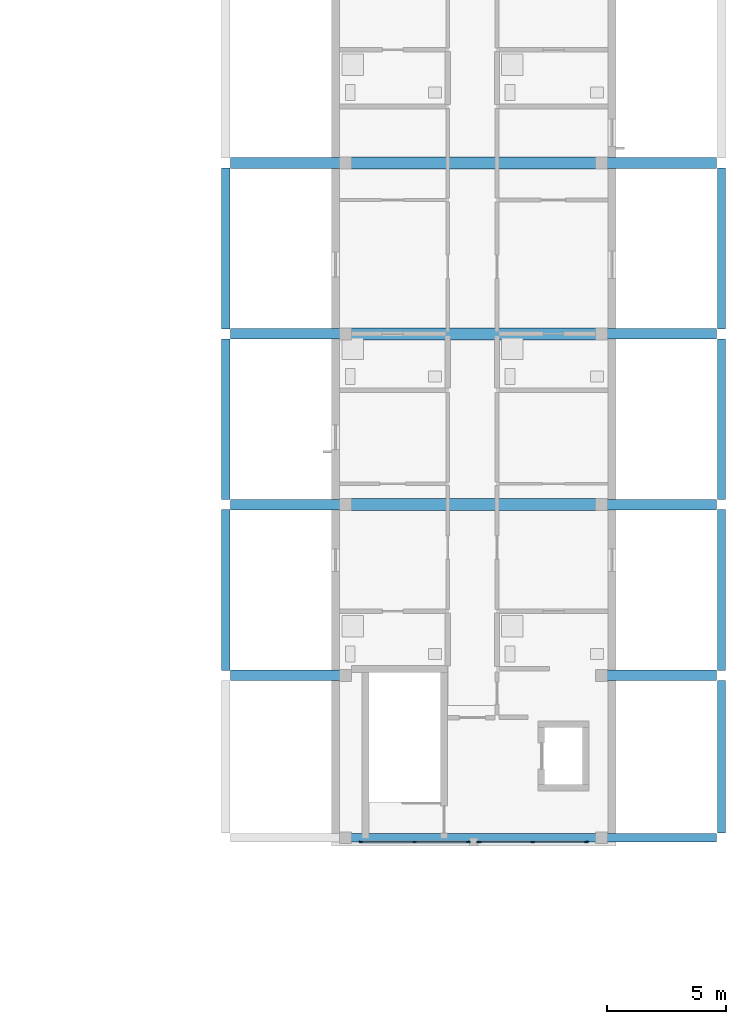
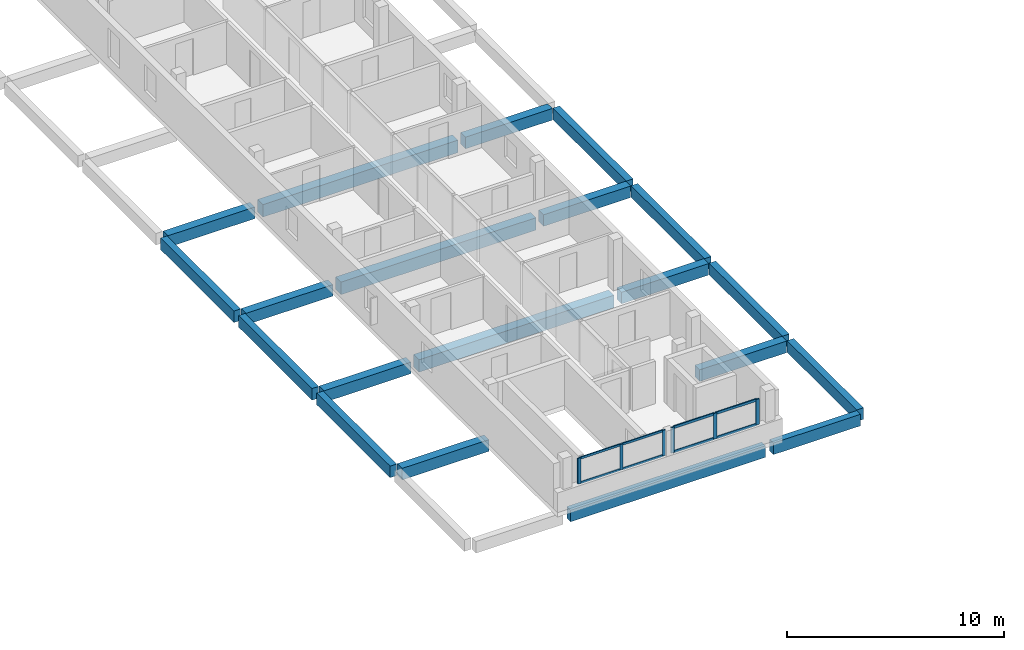
# One storey, part 3 of 16: 20 beams, 14 members, 2 elements without a shape of their own.
"""IFC4 building model written with IfcOpenShell, lengths in metres."""

from ifc_helpers import new_model, si_unit, derived_unit, direction, frame, origin, origin_2d, place, context, subcontext, project, spatial, rectangle, extrude, material, layer, layer_set, material_profile, profile_set, type_object, element, aggregate, save


model = new_model("IFC4")

# Units and contexts
model_context = context("Model", 3, precision=1e-05, world=origin(), true_north=direction((0.0, 1.0)))
body_context = subcontext(model_context, "Body", "Model", "MODEL_VIEW")
ifc_project = project(units=[si_unit("LENGTHUNIT", "METRE"), si_unit("AREAUNIT", "SQUARE_METRE"), si_unit("VOLUMEUNIT", "CUBIC_METRE"), si_unit("PLANEANGLEUNIT", "RADIAN"), si_unit("MASSUNIT", "GRAM", prefix="KILO"), derived_unit("THERMALTRANSMITTANCEUNIT", [(si_unit("MASSUNIT", "GRAM", prefix="KILO"), 1), (si_unit("TIMEUNIT", "SECOND"), -3), (si_unit("THERMODYNAMICTEMPERATUREUNIT", "KELVIN"), -1)])], contexts=[model_context])

# Site, building, storey
site_placement = place(None, origin())
site = spatial("IfcSite", under=ifc_project, at=site_placement, CompositionType="ELEMENT")
building_placement = place(site_placement, origin())
building = spatial("IfcBuilding", under=site, at=building_placement, Name="Ochrekiln Boulevard Commons", CompositionType="ELEMENT")
storey_placement = place(building_placement, frame((0.0, 0.0, 40.425048828125)))
storey = spatial("IfcBuildingStorey", under=building, at=storey_placement, Name="L12", CompositionType="ELEMENT", Elevation=40.425048828125)

# Beams
ifc_material_1 = material(Name="Concrete C35/45", Category="concrete")
ifc_material_profile_1 = material_profile(ifc_material_1, rectangle(XDim=0.449951171875, YDim=0.64990234375, at=origin_2d()), Name="RC-BM-450x650")
ifc_profile_set_1 = profile_set([ifc_material_profile_1], Name="Concrete C35/45")
beam_type_1 = type_object("IfcBeamType", Name="BM-RC-450x650", PredefinedType="BEAM", material=ifc_profile_set_1)
for number, where, z_axis, x_axis, name in (
    (1, (151.760009765625, 75.60009765625, -0.574951171875), (1.0, 0.0, 0.0), (0.0, 1.0, 0.0), "Block B L12 Beam B-4565 X4"),
    (2, (167.610107421875, 75.60009765625, -0.574951171875), (1.0, 0.0, 0.0), (0.0, 1.0, 0.0), "Block B L12 Beam B-4565 X5"),
    (3, (151.760009765625, 82.800048828125, -0.574951171875), (1.0, 0.0, 0.0), (0.0, 1.0, 0.0), "Block B L12 Beam B-4565 X6"),
    (4, (167.610107421875, 82.800048828125, -0.574951171875), (1.0, 0.0, 0.0), (0.0, 1.0, 0.0), "Block B L12 Beam B-4565 X8"),
    (5, (151.760009765625, 90.0, -0.574951171875), (1.0, 0.0, 0.0), (0.0, 1.0, 0.0), "Block B L12 Beam B-4565 X9"),
    (6, (167.610107421875, 90.0, -0.574951171875), (1.0, 0.0, 0.0), (0.0, 1.0, 0.0), "Block B L12 Beam B-4565 X11"),
    (7, (151.760009765625, 97.199951171875, -0.574951171875), (1.0, 0.0, 0.0), (0.0, 1.0, 0.0), "Block B L12 Beam B-4565 X12"),
    (8, (167.610107421875, 97.199951171875, -0.574951171875), (1.0, 0.0, 0.0), (0.0, 1.0, 0.0), "Block B L12 Beam B-4565 X14"),
):
    element("IfcBeam", number, at=place(storey_placement, frame(where, z_axis=z_axis, x_axis=x_axis)), inside=storey, type_object=beam_type_1, Name=name, PredefinedType="BEAM", context=body_context, shape_type="SweptSolid", body=[
        extrude(rectangle(XDim=0.449951171875, YDim=0.64990234375, at=origin_2d()), origin(), (0.0, 0.0, 1.0), 4.6298828125),
    ])
ifc_material_2 = material(Name="Concrete C40/50", Category="concrete")
ifc_material_profile_2 = material_profile(ifc_material_2, rectangle(XDim=0.5, YDim=0.699951171875, at=origin_2d()), Name="RC-BM-500x700")
ifc_profile_set_2 = profile_set([ifc_material_profile_2], Name="Concrete C40/50")
beam_type_2 = type_object("IfcBeamType", Name="BM-RC-500x700", PredefinedType="BEAM", material=ifc_profile_set_2)
for number, where, z_axis, x_axis, name in (
    (9, (156.81005859375, 82.800048828125, -0.60009765625), (1.0, 0.0, 0.0), (0.0, 1.0, 0.0), "Block B L12 Beam B-5070 X7"),
    (10, (156.81005859375, 90.0, -0.60009765625), (1.0, 0.0, 0.0), (0.0, 1.0, 0.0), "Block B L12 Beam B-5070 X10"),
    (11, (156.81005859375, 97.199951171875, -0.60009765625), (1.0, 0.0, 0.0), (0.0, 1.0, 0.0), "Block B L12 Beam B-5070 X13"),
):
    element("IfcBeam", number, at=place(storey_placement, frame(where, z_axis=z_axis, x_axis=x_axis)), inside=storey, type_object=beam_type_2, Name=name, PredefinedType="BEAM", context=body_context, shape_type="SweptSolid", body=[
        extrude(rectangle(XDim=0.5, YDim=0.699951171875, at=origin_2d()), origin(), (0.0, 0.0, 1.0), 10.3798828125),
    ])

# Curtain wall, members
ifc_material_3 = material(Name="Bronze-anodized extruded aluminium 6063-T6", Category="aluminium")
ifc_layer = layer(ifc_material_3, 0.18408203125)
ifc_layer_set = layer_set([ifc_layer], Name="Bronze-anodized extruded aluminium 6063-T6")
curtain_wall_type = type_object("IfcCurtainWallType", Name="CW-GABLE-B", PredefinedType="USERDEFINED", material=ifc_layer_set)
curtain_wall_1_placement = place(storey_placement, origin())
curtain_wall_1 = element("IfcCurtainWall", 12, at=curtain_wall_1_placement, inside=storey, type_object=curtain_wall_type, Name="Block B L12 Courtyard Glazed Gable Curtain Wall 1", ObjectType="GLAZED CURTAIN WALL", PredefinedType="USERDEFINED")
ifc_material_profile_3 = material_profile(ifc_material_3, rectangle(XDim=0.06005859375, YDim=0.159912109375, at=origin_2d()), Name="ALU-MUL-60x160")
ifc_profile_set_3 = profile_set([ifc_material_profile_3], Name="Bronze-anodized extruded aluminium 6063-T6")
member_type_1 = type_object("IfcMemberType", Name="CWM-60x160", PredefinedType="MULLION", material=ifc_profile_set_3)
member_1_placement = place(storey_placement, frame((157.25, 68.570068359375, 1.10986328125), z_axis=(0.0, 0.0, 1.0), x_axis=(0.0, 1.0, 0.0)))
member_1 = element("IfcMember", 13, at=member_1_placement, type_object=member_type_1, Name="CW-02 mullion 1", PredefinedType="MULLION", context=body_context, shape_type="SweptSolid", body=[
    extrude(rectangle(XDim=0.06005859375, YDim=0.159912109375, at=origin_2d()), origin(), (0.0, 0.0, 1.0), 1.440185546875),
])
member_2_placement = place(storey_placement, frame((159.510009765625, 68.570068359375, 1.10986328125), z_axis=(0.0, 0.0, 1.0), x_axis=(0.0, 1.0, 0.0)))
member_2 = element("IfcMember", 14, at=member_2_placement, type_object=member_type_1, Name="CW-02 mullion 2", PredefinedType="MULLION", context=body_context, shape_type="SweptSolid", body=[
    extrude(rectangle(XDim=0.06005859375, YDim=0.159912109375, at=origin_2d()), origin(), (0.0, 0.0, 1.0), 1.440185546875),
])
member_3_placement = place(storey_placement, frame((161.77001953125, 68.570068359375, 1.10986328125), z_axis=(0.0, 0.0, 1.0), x_axis=(0.0, 1.0, 0.0)))
member_3 = element("IfcMember", 15, at=member_3_placement, type_object=member_type_1, Name="CW-02 mullion 3", PredefinedType="MULLION", context=body_context, shape_type="SweptSolid", body=[
    extrude(rectangle(XDim=0.06005859375, YDim=0.159912109375, at=origin_2d()), origin(), (0.0, 0.0, 1.0), 1.440185546875),
])

curtain_wall_2_placement = place(storey_placement, origin())
curtain_wall_2 = element("IfcCurtainWall", 16, at=curtain_wall_2_placement, inside=storey, type_object=curtain_wall_type, Name="Block B L12 Courtyard Glazed Gable Curtain Wall 2", ObjectType="GLAZED CURTAIN WALL", PredefinedType="USERDEFINED")
ifc_material_profile_4 = material_profile(ifc_material_3, rectangle(XDim=0.06494140625, YDim=0.179931640625, at=origin_2d()), Name="ALU-MUL-65x180")
ifc_profile_set_4 = profile_set([ifc_material_profile_4], Name="Bronze-anodized extruded aluminium 6063-T6")
member_type_2 = type_object("IfcMemberType", Name="CWM-65x180", PredefinedType="MULLION", material=ifc_profile_set_4)
member_4_placement = place(storey_placement, frame((162.232421875, 68.570068359375, 1.10986328125), z_axis=(0.0, 0.0, 1.0), x_axis=(0.0, 1.0, 0.0)))
member_4 = element("IfcMember", 17, at=member_4_placement, type_object=member_type_2, Name="CW-02 mullion 1", PredefinedType="MULLION", context=body_context, shape_type="SweptSolid", body=[
    extrude(rectangle(XDim=0.06494140625, YDim=0.179931640625, at=origin_2d()), origin(), (0.0, 0.0, 1.0), 1.440185546875),
])
member_5_placement = place(storey_placement, frame((164.489990234375, 68.570068359375, 1.10986328125), z_axis=(0.0, 0.0, 1.0), x_axis=(0.0, 1.0, 0.0)))
member_5 = element("IfcMember", 18, at=member_5_placement, type_object=member_type_2, Name="CW-02 mullion 2", PredefinedType="MULLION", context=body_context, shape_type="SweptSolid", body=[
    extrude(rectangle(XDim=0.06494140625, YDim=0.179931640625, at=origin_2d()), origin(), (0.0, 0.0, 1.0), 1.440185546875),
])
member_6_placement = place(storey_placement, frame((166.74755859375, 68.570068359375, 1.10986328125), z_axis=(0.0, 0.0, 1.0), x_axis=(0.0, 1.0, 0.0)))
member_6 = element("IfcMember", 19, at=member_6_placement, type_object=member_type_2, Name="CW-02 mullion 3", PredefinedType="MULLION", context=body_context, shape_type="SweptSolid", body=[
    extrude(rectangle(XDim=0.06494140625, YDim=0.179931640625, at=origin_2d()), origin(), (0.0, 0.0, 1.0), 1.440185546875),
])

# Member
ifc_material_profile_5 = material_profile(ifc_material_3, rectangle(XDim=0.06005859375, YDim=0.1201171875, at=origin_2d()), Name="ALU-TRN-60x120")
ifc_profile_set_5 = profile_set([ifc_material_profile_5], Name="Bronze-anodized extruded aluminium 6063-T6")
member_type_3 = type_object("IfcMemberType", Name="CWT-60x120", PredefinedType="USERDEFINED", material=ifc_profile_set_5)
member_7_placement = place(storey_placement, frame((157.280029296875, 68.570068359375, 1.139892578125), z_axis=(1.0, 0.0, 0.0), x_axis=(0.0, 1.0, 0.0)))
member_7 = element("IfcMember", 20, at=member_7_placement, type_object=member_type_3, Name="CW-02 transom 1.1", ObjectType="TRANSOM", PredefinedType="USERDEFINED", context=body_context, shape_type="SweptSolid", body=[
    extrude(rectangle(XDim=0.06005859375, YDim=0.1201171875, at=origin_2d()), origin(), (0.0, 0.0, 1.0), 2.199951171875),
])

member_8_placement = place(storey_placement, frame((157.280029296875, 68.570068359375, 2.52001953125), z_axis=(1.0, 0.0, 0.0), x_axis=(0.0, 1.0, 0.0)))
member_8 = element("IfcMember", 21, at=member_8_placement, type_object=member_type_3, Name="CW-02 transom 1.2", ObjectType="TRANSOM", PredefinedType="USERDEFINED", context=body_context, shape_type="SweptSolid", body=[
    extrude(rectangle(XDim=0.06005859375, YDim=0.1201171875, at=origin_2d()), origin(), (0.0, 0.0, 1.0), 2.199951171875),
])

member_9_placement = place(storey_placement, frame((159.5400390625, 68.570068359375, 1.139892578125), z_axis=(1.0, 0.0, 0.0), x_axis=(0.0, 1.0, 0.0)))
member_9 = element("IfcMember", 22, at=member_9_placement, type_object=member_type_3, Name="CW-02 transom 2.1", ObjectType="TRANSOM", PredefinedType="USERDEFINED", context=body_context, shape_type="SweptSolid", body=[
    extrude(rectangle(XDim=0.06005859375, YDim=0.1201171875, at=origin_2d()), origin(), (0.0, 0.0, 1.0), 2.199951171875),
])

member_10_placement = place(storey_placement, frame((159.5400390625, 68.570068359375, 2.52001953125), z_axis=(1.0, 0.0, 0.0), x_axis=(0.0, 1.0, 0.0)))
member_10 = element("IfcMember", 23, at=member_10_placement, type_object=member_type_3, Name="CW-02 transom 2.2", ObjectType="TRANSOM", PredefinedType="USERDEFINED", context=body_context, shape_type="SweptSolid", body=[
    extrude(rectangle(XDim=0.06005859375, YDim=0.1201171875, at=origin_2d()), origin(), (0.0, 0.0, 1.0), 2.199951171875),
])

aggregate(curtain_wall_1, [member_1, member_2, member_3, member_7, member_8, member_9, member_10])

ifc_material_profile_6 = material_profile(ifc_material_3, rectangle(XDim=0.06494140625, YDim=0.139892578125, at=origin_2d()), Name="ALU-TRN-65x140")
ifc_profile_set_6 = profile_set([ifc_material_profile_6], Name="Bronze-anodized extruded aluminium 6063-T6")
member_type_4 = type_object("IfcMemberType", Name="CWT-65x140", PredefinedType="USERDEFINED", material=ifc_profile_set_6)
member_11_placement = place(storey_placement, frame((162.264892578125, 68.570068359375, 1.142333984375), z_axis=(1.0, 0.0, 0.0), x_axis=(0.0, 1.0, 0.0)))
member_11 = element("IfcMember", 24, at=member_11_placement, type_object=member_type_4, Name="CW-02 transom 1.1", ObjectType="TRANSOM", PredefinedType="USERDEFINED", context=body_context, shape_type="SweptSolid", body=[
    extrude(rectangle(XDim=0.06494140625, YDim=0.139892578125, at=origin_2d()), origin(), (0.0, 0.0, 1.0), 2.192626953125),
])

member_12_placement = place(storey_placement, frame((162.264892578125, 68.570068359375, 2.517333984375), z_axis=(1.0, 0.0, 0.0), x_axis=(0.0, 1.0, 0.0)))
member_12 = element("IfcMember", 25, at=member_12_placement, type_object=member_type_4, Name="CW-02 transom 1.2", ObjectType="TRANSOM", PredefinedType="USERDEFINED", context=body_context, shape_type="SweptSolid", body=[
    extrude(rectangle(XDim=0.06494140625, YDim=0.139892578125, at=origin_2d()), origin(), (0.0, 0.0, 1.0), 2.192626953125),
])

member_13_placement = place(storey_placement, frame((164.5224609375, 68.570068359375, 1.142333984375), z_axis=(1.0, 0.0, 0.0), x_axis=(0.0, 1.0, 0.0)))
member_13 = element("IfcMember", 26, at=member_13_placement, type_object=member_type_4, Name="CW-02 transom 2.1", ObjectType="TRANSOM", PredefinedType="USERDEFINED", context=body_context, shape_type="SweptSolid", body=[
    extrude(rectangle(XDim=0.06494140625, YDim=0.139892578125, at=origin_2d()), origin(), (0.0, 0.0, 1.0), 2.192626953125),
])

member_14_placement = place(storey_placement, frame((164.5224609375, 68.570068359375, 2.517333984375), z_axis=(1.0, 0.0, 0.0), x_axis=(0.0, 1.0, 0.0)))
member_14 = element("IfcMember", 27, at=member_14_placement, type_object=member_type_4, Name="CW-02 transom 2.2", ObjectType="TRANSOM", PredefinedType="USERDEFINED", context=body_context, shape_type="SweptSolid", body=[
    extrude(rectangle(XDim=0.06494140625, YDim=0.139892578125, at=origin_2d()), origin(), (0.0, 0.0, 1.0), 2.192626953125),
])

aggregate(curtain_wall_2, [member_4, member_5, member_6, member_11, member_12, member_13, member_14])

# Beams
ifc_material_profile_7 = material_profile(ifc_material_2, rectangle(XDim=0.35009765625, YDim=0.64990234375, at=origin_2d()), Name="RC-SPN-350x650")
ifc_profile_set_7 = profile_set([ifc_material_profile_7], Name="Concrete C40/50")
beam_type_3 = type_object("IfcBeamType", Name="SPN-RC-350x650", PredefinedType="SPANDREL", material=ifc_profile_set_7)
beam_1_placement = place(storey_placement, frame((156.81005859375, 68.75, -0.574951171875), z_axis=(1.0, 0.0, 0.0), x_axis=(0.0, 1.0, 0.0)))
element("IfcBeam", 28, at=beam_1_placement, inside=storey, type_object=beam_type_3, Name="Block B L12 Beam SP-3565 X2", PredefinedType="SPANDREL", context=body_context, shape_type="SweptSolid", body=[
    extrude(rectangle(XDim=0.35009765625, YDim=0.64990234375, at=origin_2d()), origin(), (0.0, 0.0, 1.0), 10.3798828125),
])
beam_2_placement = place(storey_placement, frame((167.610107421875, 68.75, -0.574951171875), z_axis=(1.0, 0.0, 0.0), x_axis=(0.0, 1.0, 0.0)))
element("IfcBeam", 29, at=beam_2_placement, inside=storey, type_object=beam_type_3, Name="Block B L12 Beam SP-3565 X3", PredefinedType="SPANDREL", context=body_context, shape_type="SweptSolid", body=[
    extrude(rectangle(XDim=0.35009765625, YDim=0.64990234375, at=origin_2d()), origin(), (0.0, 0.0, 1.0), 4.6298828125),
])
for number, where, z_axis, x_axis, name in (
    (30, (151.550048828125, 75.81005859375, -0.574951171875), (0.0, 1.0, 0.0), (-1.0, 0.0, 0.0), "Block B L12 Beam SP-3565 Y24"),
    (31, (151.550048828125, 83.010009765625, -0.574951171875), (0.0, 1.0, 0.0), (-1.0, 0.0, 0.0), "Block B L12 Beam SP-3565 Y25"),
    (32, (151.550048828125, 90.2099609375, -0.574951171875), (0.0, 1.0, 0.0), (-1.0, 0.0, 0.0), "Block B L12 Beam SP-3565 Y26"),
):
    element("IfcBeam", number, at=place(storey_placement, frame(where, z_axis=z_axis, x_axis=x_axis)), inside=storey, type_object=beam_type_3, Name=name, PredefinedType="SPANDREL", context=body_context, shape_type="SweptSolid", body=[
        extrude(rectangle(XDim=0.35009765625, YDim=0.64990234375, at=origin_2d()), origin(), (0.0, 0.0, 1.0), 6.780029296875),
    ])
beam_3_placement = place(storey_placement, frame((172.449951171875, 68.9599609375, -0.574951171875), z_axis=(0.0, 1.0, 0.0), x_axis=(-1.0, 0.0, 0.0)))
element("IfcBeam", 33, at=beam_3_placement, inside=storey, type_object=beam_type_3, Name="Block B L12 Beam SP-3565 Y30", PredefinedType="SPANDREL", context=body_context, shape_type="SweptSolid", body=[
    extrude(rectangle(XDim=0.35009765625, YDim=0.64990234375, at=origin_2d()), origin(), (0.0, 0.0, 1.0), 6.429931640625),
])
for number, where, z_axis, x_axis, name in (
    (34, (172.449951171875, 75.81005859375, -0.574951171875), (0.0, 1.0, 0.0), (-1.0, 0.0, 0.0), "Block B L12 Beam SP-3565 Y31"),
    (35, (172.449951171875, 83.010009765625, -0.574951171875), (0.0, 1.0, 0.0), (-1.0, 0.0, 0.0), "Block B L12 Beam SP-3565 Y32"),
    (36, (172.449951171875, 90.2099609375, -0.574951171875), (0.0, 1.0, 0.0), (-1.0, 0.0, 0.0), "Block B L12 Beam SP-3565 Y33"),
):
    element("IfcBeam", number, at=place(storey_placement, frame(where, z_axis=z_axis, x_axis=x_axis)), inside=storey, type_object=beam_type_3, Name=name, PredefinedType="SPANDREL", context=body_context, shape_type="SweptSolid", body=[
        extrude(rectangle(XDim=0.35009765625, YDim=0.64990234375, at=origin_2d()), origin(), (0.0, 0.0, 1.0), 6.780029296875),
    ])

save(model, "model.ifc")
